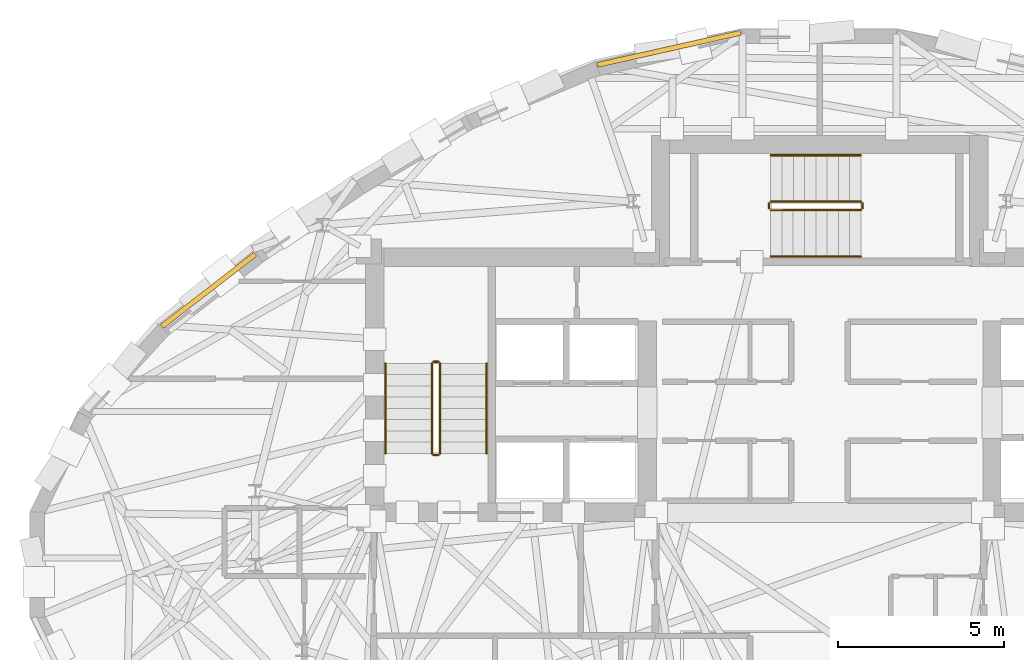
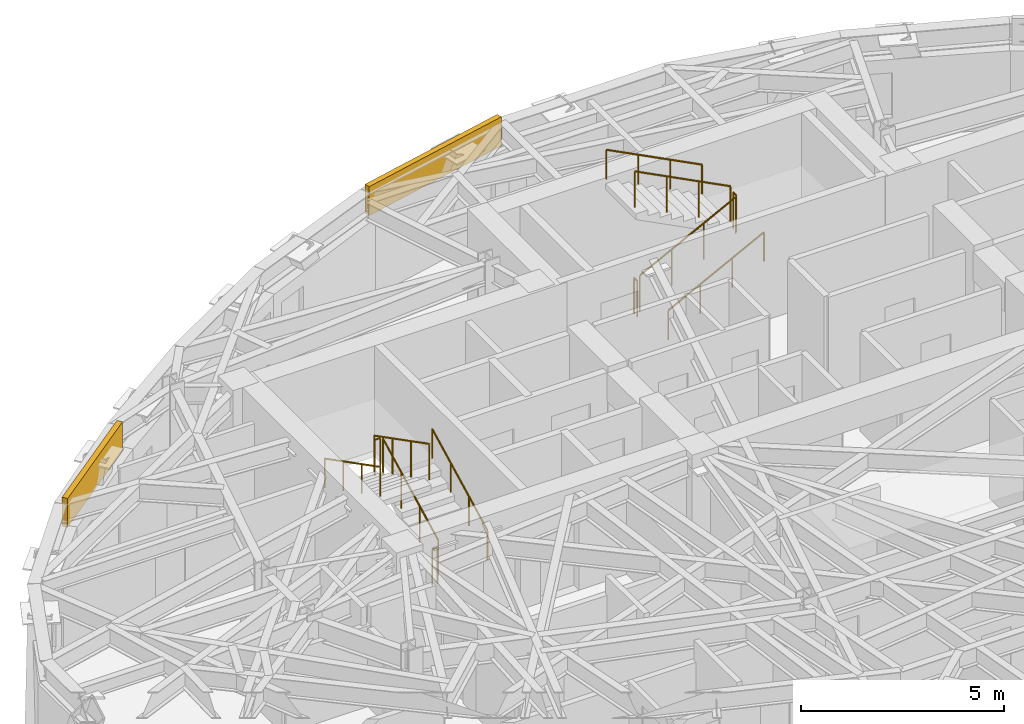
# One storey, part 12 of 13: 12 railings, 2 coverings.
"""IFC4 building model written with IfcOpenShell, lengths in metres."""

import ifcopenshell
import ifcopenshell.guid

model = None  # the IFC model being written
_history = None  # IfcOwnerHistory: only IFC2X3 demands one
_inside = {}  # id of a spatial element -> (the spatial element, [elements in it])
_under = {}  # id of a project, library or spatial element -> (it, [spatial elements below it])
_declared = {}  # id of a project -> (the project, [libraries it declares])
_typed = {}  # id of a type object -> (the type object, [elements of that type])
_made_of = {}  # id of a material, layer set ... -> (it, [elements and type objects made of it])


def new_model(schema):
    """Start an empty IFC model of exactly this schema.

    Asked for "IFC4X3", IfcOpenShell would pick the latest addendum, in which some entities
    have other attributes; the version numbers below select the first issue.
    IFC2X3 requires an IfcOwnerHistory on every rooted entity: one is made here for all.
    """
    global model, _history
    if schema == "IFC4X3":
        model = ifcopenshell.file(schema_version=(4, 3, 0, 0))
    else:
        model = ifcopenshell.file(schema=schema)
    _inside.clear()
    _under.clear()
    _declared.clear()
    _typed.clear()
    _made_of.clear()
    _history = None
    if model.schema == "IFC2X3":
        org = make("IfcOrganization", Name="unknown")
        user = make(
            "IfcPersonAndOrganization",
            ThePerson=make("IfcPerson", FamilyName="unknown"),
            TheOrganization=org,
        )
        app = make(
            "IfcApplication",
            ApplicationDeveloper=org,
            Version="unknown",
            ApplicationFullName="unknown",
            ApplicationIdentifier="unknown",
        )
        _history = make(
            "IfcOwnerHistory",
            OwningUser=user,
            OwningApplication=app,
            ChangeAction="ADDED",
            CreationDate=0,
        )
    return model


def make(cls, **values):
    """One entity of the class cls with the attributes given. An attribute that is None is left unset."""
    return model.create_entity(
        cls, **{name: value for name, value in values.items() if value is not None}
    )


def rooted(cls, **values):
    """An entity with a GlobalId (a new one), such as an element, a storey or a relation."""
    return make(cls, GlobalId=ifcopenshell.guid.new(), OwnerHistory=_history, **values)


def si_unit(unit_type, name, prefix=None):
    """IfcSIUnit, for example si_unit("LENGTHUNIT", "METRE", prefix="MILLI")."""
    return make("IfcSIUnit", UnitType=unit_type, Prefix=prefix, Name=name)


def assignment(units):
    """IfcUnitAssignment: the units of a project."""
    return None if units is None else make("IfcUnitAssignment", Units=units)


def point(xyz):
    """IfcCartesianPoint."""
    return None if xyz is None else make("IfcCartesianPoint", Coordinates=xyz)


def direction(xyz):
    """IfcDirection."""
    return None if xyz is None else make("IfcDirection", DirectionRatios=xyz)


def frame(location, z_axis=None, x_axis=None):
    """IfcAxis2Placement3D, a coordinate frame: its origin and axes. An axis left out is left unset."""
    return make(
        "IfcAxis2Placement3D",
        Location=point(location),
        Axis=direction(z_axis),
        RefDirection=direction(x_axis),
    )


def frame_2d(location, x_axis=None):
    """IfcAxis2Placement2D, a coordinate frame in the plane: its origin and x axis."""
    return make(
        "IfcAxis2Placement2D", Location=point(location), RefDirection=direction(x_axis)
    )


def origin():
    """The frame at (0, 0, 0) with its axes left unset."""
    return frame((0.0, 0.0, 0.0))


def origin_2d():
    """The frame at (0, 0) in the plane with its x axis left unset."""
    return frame_2d((0.0, 0.0))


def place(relative_to, where):
    """IfcLocalPlacement: puts the frame where relative to a parent placement (None: the world)."""
    return make(
        "IfcLocalPlacement", PlacementRelTo=relative_to, RelativePlacement=where
    )


def context(
    kind, dimensions, precision=None, world=None, true_north=None, identifier=None
):
    """IfcGeometricRepresentationContext, for example the 3D "Model" context."""
    return make(
        "IfcGeometricRepresentationContext",
        ContextIdentifier=identifier,
        ContextType=kind,
        CoordinateSpaceDimension=dimensions,
        Precision=precision,
        WorldCoordinateSystem=world,
        TrueNorth=true_north,
    )


def subcontext(parent, identifier, kind, view, scale=None):
    """IfcGeometricRepresentationSubContext, for example "Body" below "Model"."""
    return make(
        "IfcGeometricRepresentationSubContext",
        ContextIdentifier=identifier,
        ContextType=kind,
        ParentContext=parent,
        TargetScale=scale,
        TargetView=view,
    )


def project(units=None, contexts=None):
    """IfcProject with its units and contexts."""
    return rooted(
        "IfcProject",
        Name="project",
        RepresentationContexts=contexts,
        UnitsInContext=assignment(units),
    )


def spatial(cls, under=None, at=None, **own):
    """A site, building, storey or space (cls), placed at a placement, below another one or the project."""
    s = rooted(cls, ObjectPlacement=at, **own)
    if under is not None:
        _under.setdefault(under.id(), (under, []))[1].append(s)
    return s


def profile(cls, at=None, kind="AREA", **sizes):
    """A parametric profile (cls). Its sizes go by their IFC names, for example OverallWidth=200.0."""
    return make(cls, ProfileType=kind, Position=at, **sizes)


def rectangle(**sizes):
    """IfcRectangleProfileDef."""
    return profile("IfcRectangleProfileDef", **sizes)


def circle(**sizes):
    """IfcCircleProfileDef."""
    return profile("IfcCircleProfileDef", **sizes)


def extrude(swept, where, along, depth):
    """IfcExtrudedAreaSolid: the profile swept, set in the frame where, extruded along a direction by depth."""
    return make(
        "IfcExtrudedAreaSolid",
        SweptArea=swept,
        Position=where,
        ExtrudedDirection=direction(along),
        Depth=depth,
    )


def shape(context_of_items, identifier, shape_type, items):
    """IfcShapeRepresentation: the items that make up one representation, for example the "Body"."""
    return make(
        "IfcShapeRepresentation",
        ContextOfItems=context_of_items,
        RepresentationIdentifier=identifier,
        RepresentationType=shape_type,
        Items=items,
    )


def material(Name=None, Category=None):
    """IfcMaterial."""
    return make("IfcMaterial", Name=Name, Category=Category)


def layer(
    of_material, thickness, ventilated=None, Name=None, Category=None, Priority=None
):
    """IfcMaterialLayer: one layer of a wall or slab, of a material (None: an air gap)."""
    return make(
        "IfcMaterialLayer",
        Material=of_material,
        LayerThickness=thickness,
        IsVentilated=ventilated,
        Name=Name,
        Category=Category,
        Priority=Priority,
    )


def layer_set(layers, Name=None):
    """IfcMaterialLayerSet."""
    return make("IfcMaterialLayerSet", MaterialLayers=layers, LayerSetName=Name)


def made_of(thing, what):
    """Note that an element or type object is made of a material, layer set ...; save() writes the relation."""
    if what is not None:
        _made_of.setdefault(what.id(), (what, []))[1].append(thing)
    return thing


def type_object(cls, material=None, **own):
    """A type object (cls), such as IfcWallType, which elements share."""
    return made_of(rooted(cls, **own), material)


def element(
    cls,
    number,
    at=None,
    inside=None,
    cuts=None,
    type_object=None,
    material=None,
    context=None,
    identifier="Body",
    shape_type=None,
    held_by="IfcProductDefinitionShape",
    body=None,
    shapes=None,
    **own,
):
    """One element of the class cls, such as IfcWall. Its Tag is "e" and its number.

    at: its placement. inside: the storey or other place that contains it. cuts: it is an
    opening in that element (IfcRelVoidsElement). A single representation is given by context,
    identifier, shape_type and body (its items); several are given by shapes. held_by: the class
    of the entity that holds the representations. save() writes the other relations.
    """
    e = rooted(cls, Tag="e%d" % number, ObjectPlacement=at, **own)
    if body is not None:
        shapes = [shape(context, identifier, shape_type, body)]
    if shapes is not None:
        e.Representation = make(held_by, Representations=shapes)
    if inside is not None:
        _inside.setdefault(inside.id(), (inside, []))[1].append(e)
    if cuts is not None:
        rooted(
            "IfcRelVoidsElement", RelatingBuildingElement=cuts, RelatedOpeningElement=e
        )
    if type_object is not None:
        _typed.setdefault(type_object.id(), (type_object, []))[1].append(e)
    return made_of(e, material)


def aggregate(whole, parts):
    """IfcRelAggregates: a whole, such as a stair, and the parts it consists of."""
    return rooted("IfcRelAggregates", RelatingObject=whole, RelatedObjects=parts)


def save(model, path):
    """Write the relations noted so far, then the file.

    IfcRelAggregates (storeys below a building ...), IfcRelContainedInSpatialStructure (elements
    in a storey), IfcRelDefinesByType, IfcRelAssociatesMaterial and IfcRelDeclares: one each for
    every whole, place, type object, material and project.
    """
    for whole, parts in _under.values():
        aggregate(whole, parts)
    for where, things in _inside.values():
        rooted(
            "IfcRelContainedInSpatialStructure",
            RelatedElements=things,
            RelatingStructure=where,
        )
    for kind, things in _typed.values():
        rooted("IfcRelDefinesByType", RelatedObjects=things, RelatingType=kind)
    for what, things in _made_of.values():
        rooted("IfcRelAssociatesMaterial", RelatedObjects=things, RelatingMaterial=what)
    for by, libraries in _declared.values():
        rooted("IfcRelDeclares", RelatingContext=by, RelatedDefinitions=libraries)
    model.write(path)


model = new_model("IFC4")

# Units and contexts
model_context = context("Model", 3, precision=1e-05, world=origin(), true_north=direction((0.0, 1.0)))
body_context = subcontext(model_context, "Body", "Model", "MODEL_VIEW")
ifc_project = project(units=[si_unit("LENGTHUNIT", "METRE"), si_unit("AREAUNIT", "SQUARE_METRE"), si_unit("VOLUMEUNIT", "CUBIC_METRE"), si_unit("PLANEANGLEUNIT", "RADIAN"), si_unit("MASSUNIT", "GRAM", prefix="KILO")], contexts=[model_context])

# Site, building, storey
site_placement = place(None, origin())
site = spatial("IfcSite", under=ifc_project, at=site_placement, CompositionType="ELEMENT")
building_placement = place(site_placement, origin())
building = spatial("IfcBuilding", under=site, at=building_placement, Name="Keldmark Tower", CompositionType="ELEMENT")
storey_placement = place(building_placement, frame((0.0, 0.0, 210.0)))
storey = spatial("IfcBuildingStorey", under=building, at=storey_placement, Name="L58", CompositionType="ELEMENT", Elevation=210.0)

# Coverings
ifc_material_1 = material(Name="Honed Kasota Buff Dolomitic Limestone", Category="masonry")
ifc_layer = layer(ifc_material_1, 0.074951171875)
ifc_layer_set = layer_set([ifc_layer], Name="Honed Kasota Buff Dolomitic Limestone")
covering_type = type_object("IfcCoveringType", Name="Kasota Buff Limestone Spandrel Cladding Band", PredefinedType="CLADDING", material=ifc_layer_set)
covering_1_placement = place(storey_placement, frame((-4.54150390625, 15.559814453125, 2.260009765625), z_axis=(0.0, 0.0, 1.0), x_axis=(-0.97564952142, -0.219335385547, 0.0)))
element("IfcCovering", 1, at=covering_1_placement, inside=storey, type_object=covering_type, Name="L58 Kasota Limestone Spandrel Band 09", PredefinedType="CLADDING", context=body_context, shape_type="SweptSolid", body=[
    extrude(rectangle(XDim=4.42724609375, YDim=0.14990234375, at=origin_2d()), origin(), (0.0, 0.0, 1.0), 0.8701171875),
])
covering_2_placement = place(storey_placement, frame((-18.434326171875, 8.27490234375, 2.260009765625), z_axis=(0.0, 0.0, 1.0), x_axis=(-0.79103137704, -0.611775580208, 0.0)))
element("IfcCovering", 2, at=covering_2_placement, inside=storey, type_object=covering_type, Name="L58 Kasota Limestone Spandrel Band 13", PredefinedType="CLADDING", context=body_context, shape_type="SweptSolid", body=[
    extrude(rectangle(XDim=3.56201171875, YDim=0.14990234375, at=origin_2d()), origin(), (0.0, 0.0, 1.0), 0.8701171875),
])

# Railings
ifc_material_2 = material(Name="Painted Steel ASTM A500 Grade B", Category="steel")
railing_type_1 = type_object("IfcRailingType", Name="Painted Steel Stair Well Guard 1100 mm", PredefinedType="GUARDRAIL", material=ifc_material_2)
railing_1_placement = place(storey_placement, frame((-11.449951171875, 3.35009765625, 0.175048828125)))
element("IfcRailing", 3, at=railing_1_placement, inside=storey, type_object=railing_type_1, Name="L58 ST1 stair guard 1", PredefinedType="GUARDRAIL", context=body_context, shape_type="SweptSolid", body=[
    extrude(circle(Radius=0.02392578125, at=origin_2d()), frame((0.0, 0.0, 1.076171875), z_axis=(0.0, 0.889146794209, 0.457622091194), x_axis=(-1.0, 0.0, 0.0)), (0.0, 0.0, 1.0), 3.05908203125),
    extrude(circle(Radius=0.02099609375, at=origin_2d()), origin(), (0.0, 0.0, 1.0), 1.052001953125),
    extrude(circle(Radius=0.02099609375, at=origin_2d()), frame((0.0, 0.90673828125, 0.466552734375)), (0.0, 0.0, 1.0), 1.052001953125),
    extrude(circle(Radius=0.02099609375, at=origin_2d()), frame((0.0, 1.813232421875, 0.933349609375)), (0.0, 0.0, 1.0), 1.052001953125),
    extrude(circle(Radius=0.02099609375, at=origin_2d()), frame((0.0, 2.719970703125, 1.39990234375)), (0.0, 0.0, 1.0), 1.052001953125),
])
railing_2_placement = place(storey_placement, frame((-11.5, 6.1201171875, 1.574951171875)))
element("IfcRailing", 4, at=railing_2_placement, inside=storey, type_object=railing_type_1, Name="L58 ST1 stair guard 2", PredefinedType="GUARDRAIL", context=body_context, shape_type="SweptSolid", body=[
    extrude(circle(Radius=0.02392578125, at=origin_2d()), frame((0.0, 0.0, 1.076171875), z_axis=(-1.0, 0.0, 0.0), x_axis=(0.0, -1.0, 0.0)), (0.0, 0.0, 1.0), 0.14990234375),
    extrude(circle(Radius=0.02099609375, at=origin_2d()), origin(), (0.0, 0.0, 1.0), 1.052001953125),
    extrude(circle(Radius=0.02099609375, at=origin_2d()), frame((-0.14990234375, 0.0, 0.0)), (0.0, 0.0, 1.0), 1.052001953125),
])
railing_3_placement = place(storey_placement, frame((-11.699951171875, 6.070068359375, 1.75)))
element("IfcRailing", 5, at=railing_3_placement, inside=storey, type_object=railing_type_1, Name="L58 ST1 stair guard 3", PredefinedType="GUARDRAIL", context=body_context, shape_type="SweptSolid", body=[
    extrude(circle(Radius=0.02392578125, at=origin_2d()), frame((0.0, 0.0, 1.076171875), z_axis=(0.0, -0.889146794209, 0.457622091194), x_axis=(1.0, 0.0, 0.0)), (0.0, 0.0, 1.0), 3.05908203125),
    extrude(circle(Radius=0.02099609375, at=origin_2d()), origin(), (0.0, 0.0, 1.0), 1.052001953125),
    extrude(circle(Radius=0.02099609375, at=origin_2d()), frame((0.0, -0.90673828125, 0.466552734375)), (0.0, 0.0, 1.0), 1.052001953125),
    extrude(circle(Radius=0.02099609375, at=origin_2d()), frame((0.0, -1.813232421875, 0.933349609375)), (0.0, 0.0, 1.0), 1.052001953125),
    extrude(circle(Radius=0.02099609375, at=origin_2d()), frame((0.0, -2.719970703125, 1.39990234375)), (0.0, 0.0, 1.0), 1.052001953125),
])
railing_4_placement = place(storey_placement, frame((-11.5, 3.300048828125, 0.0)))
element("IfcRailing", 6, at=railing_4_placement, inside=storey, type_object=railing_type_1, Name="L58 ST1 stair guard 4", PredefinedType="GUARDRAIL", context=body_context, shape_type="SweptSolid", body=[
    extrude(circle(Radius=0.02392578125, at=origin_2d()), frame((0.0, 0.0, 1.076171875), z_axis=(-1.0, 0.0, 0.0), x_axis=(0.0, -1.0, 0.0)), (0.0, 0.0, 1.0), 0.14990234375),
    extrude(circle(Radius=0.02099609375, at=origin_2d()), origin(), (0.0, 0.0, 1.0), 1.052001953125),
    extrude(circle(Radius=0.02099609375, at=origin_2d()), frame((-0.14990234375, 0.0, 0.0)), (0.0, 0.0, 1.0), 1.052001953125),
])
railing_5_placement = place(storey_placement, frame((-1.47509765625, 10.699951171875, 0.175048828125)))
element("IfcRailing", 7, at=railing_5_placement, inside=storey, type_object=railing_type_1, Name="L58 ST3 stair guard 1", PredefinedType="GUARDRAIL", context=body_context, shape_type="SweptSolid", body=[
    extrude(circle(Radius=0.02392578125, at=origin_2d()), frame((0.0, 0.0, 1.076171875), z_axis=(0.88916350577, 0.0, 0.457589619645), x_axis=(0.0, 1.0, 0.0)), (0.0, 0.0, 1.0), 3.059326171875),
    extrude(circle(Radius=0.02099609375, at=origin_2d()), origin(), (0.0, 0.0, 1.0), 1.052001953125),
    extrude(circle(Radius=0.02099609375, at=origin_2d()), frame((0.90673828125, 0.0, 0.466552734375)), (0.0, 0.0, 1.0), 1.052001953125),
    extrude(circle(Radius=0.02099609375, at=origin_2d()), frame((1.8134765625, 0.0, 0.933349609375)), (0.0, 0.0, 1.0), 1.052001953125),
    extrude(circle(Radius=0.02099609375, at=origin_2d()), frame((2.72021484375, 0.0, 1.39990234375)), (0.0, 0.0, 1.0), 1.052001953125),
])
railing_6_placement = place(storey_placement, frame((1.294921875, 10.75, 1.574951171875)))
element("IfcRailing", 8, at=railing_6_placement, inside=storey, type_object=railing_type_1, Name="L58 ST3 stair guard 2", PredefinedType="GUARDRAIL", context=body_context, shape_type="SweptSolid", body=[
    extrude(circle(Radius=0.02392578125, at=origin_2d()), frame((0.0, 0.0, 1.076171875), z_axis=(0.0, 1.0, 0.0), x_axis=(-1.0, 0.0, 0.0)), (0.0, 0.0, 1.0), 0.14990234375),
    extrude(circle(Radius=0.02099609375, at=origin_2d()), origin(), (0.0, 0.0, 1.0), 1.052001953125),
    extrude(circle(Radius=0.02099609375, at=origin_2d()), frame((0.0, 0.14990234375, 0.0)), (0.0, 0.0, 1.0), 1.052001953125),
])
railing_7_placement = place(storey_placement, frame((1.2451171875, 10.949951171875, 1.75)))
element("IfcRailing", 9, at=railing_7_placement, inside=storey, type_object=railing_type_1, Name="L58 ST3 stair guard 3", PredefinedType="GUARDRAIL", context=body_context, shape_type="SweptSolid", body=[
    extrude(circle(Radius=0.02392578125, at=origin_2d()), frame((0.0, 0.0, 1.076171875), z_axis=(-0.88916350577, 0.0, 0.457589619645), x_axis=(0.0, -1.0, 0.0)), (0.0, 0.0, 1.0), 3.059326171875),
    extrude(circle(Radius=0.02099609375, at=origin_2d()), origin(), (0.0, 0.0, 1.0), 1.052001953125),
    extrude(circle(Radius=0.02099609375, at=origin_2d()), frame((-0.90673828125, 0.0, 0.466552734375)), (0.0, 0.0, 1.0), 1.052001953125),
    extrude(circle(Radius=0.02099609375, at=origin_2d()), frame((-1.8134765625, 0.0, 0.933349609375)), (0.0, 0.0, 1.0), 1.052001953125),
    extrude(circle(Radius=0.02099609375, at=origin_2d()), frame((-2.72021484375, 0.0, 1.39990234375)), (0.0, 0.0, 1.0), 1.052001953125),
])
railing_8_placement = place(storey_placement, frame((-1.52490234375, 10.75, 0.0)))
element("IfcRailing", 10, at=railing_8_placement, inside=storey, type_object=railing_type_1, Name="L58 ST3 stair guard 4", PredefinedType="GUARDRAIL", context=body_context, shape_type="SweptSolid", body=[
    extrude(circle(Radius=0.02392578125, at=origin_2d()), frame((0.0, 0.0, 1.076171875), z_axis=(0.0, 1.0, 0.0), x_axis=(-1.0, 0.0, 0.0)), (0.0, 0.0, 1.0), 0.14990234375),
    extrude(circle(Radius=0.02099609375, at=origin_2d()), origin(), (0.0, 0.0, 1.0), 1.052001953125),
    extrude(circle(Radius=0.02099609375, at=origin_2d()), frame((0.0, 0.14990234375, 0.0)), (0.0, 0.0, 1.0), 1.052001953125),
])
ifc_material_3 = material(Name="Stainless Steel AISI 316L", Category="steel")
railing_type_2 = type_object("IfcRailingType", Name="Stainless Steel Stair Handrail 900 mm", PredefinedType="HANDRAIL", material=ifc_material_3)
railing_9_placement = place(storey_placement, frame((-10.050048828125, 3.35009765625, 0.175048828125)))
element("IfcRailing", 11, at=railing_9_placement, inside=storey, type_object=railing_type_2, Name="L58 ST1 stair handrail 1", PredefinedType="HANDRAIL", context=body_context, shape_type="SweptSolid", body=[
    extrude(circle(Radius=0.02392578125, at=origin_2d()), frame((0.0, 0.0, 0.8759765625), z_axis=(0.0, 0.889146794209, 0.457622091194), x_axis=(-1.0, 0.0, 0.0)), (0.0, 0.0, 1.0), 3.05908203125),
    extrude(circle(Radius=0.02099609375, at=origin_2d()), origin(), (0.0, 0.0, 1.0), 0.851806640625),
    extrude(circle(Radius=0.02099609375, at=origin_2d()), frame((0.0, 0.90673828125, 0.466552734375)), (0.0, 0.0, 1.0), 0.851806640625),
    extrude(circle(Radius=0.02099609375, at=origin_2d()), frame((0.0, 1.813232421875, 0.933349609375)), (0.0, 0.0, 1.0), 0.851806640625),
    extrude(circle(Radius=0.02099609375, at=origin_2d()), frame((0.0, 2.719970703125, 1.39990234375)), (0.0, 0.0, 1.0), 0.851806640625),
])
railing_10_placement = place(storey_placement, frame((-13.10009765625, 6.070068359375, 1.75)))
element("IfcRailing", 12, at=railing_10_placement, inside=storey, type_object=railing_type_2, Name="L58 ST1 stair handrail 2", PredefinedType="HANDRAIL", context=body_context, shape_type="SweptSolid", body=[
    extrude(circle(Radius=0.02392578125, at=origin_2d()), frame((0.0, 0.0, 0.8759765625), z_axis=(0.0, -0.889146794209, 0.457622091194), x_axis=(1.0, 0.0, 0.0)), (0.0, 0.0, 1.0), 3.05908203125),
    extrude(circle(Radius=0.02099609375, at=origin_2d()), origin(), (0.0, 0.0, 1.0), 0.851806640625),
    extrude(circle(Radius=0.02099609375, at=origin_2d()), frame((0.0, -0.90673828125, 0.466552734375)), (0.0, 0.0, 1.0), 0.851806640625),
    extrude(circle(Radius=0.02099609375, at=origin_2d()), frame((0.0, -1.813232421875, 0.933349609375)), (0.0, 0.0, 1.0), 0.851806640625),
    extrude(circle(Radius=0.02099609375, at=origin_2d()), frame((0.0, -2.719970703125, 1.39990234375)), (0.0, 0.0, 1.0), 0.851806640625),
])
railing_11_placement = place(storey_placement, frame((-1.47509765625, 9.300048828125, 0.175048828125)))
element("IfcRailing", 13, at=railing_11_placement, inside=storey, type_object=railing_type_2, Name="L58 ST3 stair handrail 1", PredefinedType="HANDRAIL", context=body_context, shape_type="SweptSolid", body=[
    extrude(circle(Radius=0.02392578125, at=origin_2d()), frame((0.0, 0.0, 0.8759765625), z_axis=(0.88916350577, 0.0, 0.457589619645), x_axis=(0.0, 1.0, 0.0)), (0.0, 0.0, 1.0), 3.059326171875),
    extrude(circle(Radius=0.02099609375, at=origin_2d()), origin(), (0.0, 0.0, 1.0), 0.851806640625),
    extrude(circle(Radius=0.02099609375, at=origin_2d()), frame((0.90673828125, 0.0, 0.466552734375)), (0.0, 0.0, 1.0), 0.851806640625),
    extrude(circle(Radius=0.02099609375, at=origin_2d()), frame((1.8134765625, 0.0, 0.933349609375)), (0.0, 0.0, 1.0), 0.851806640625),
    extrude(circle(Radius=0.02099609375, at=origin_2d()), frame((2.72021484375, 0.0, 1.39990234375)), (0.0, 0.0, 1.0), 0.851806640625),
])
railing_12_placement = place(storey_placement, frame((1.2451171875, 12.35009765625, 1.75)))
element("IfcRailing", 14, at=railing_12_placement, inside=storey, type_object=railing_type_2, Name="L58 ST3 stair handrail 2", PredefinedType="HANDRAIL", context=body_context, shape_type="SweptSolid", body=[
    extrude(circle(Radius=0.02392578125, at=origin_2d()), frame((0.0, 0.0, 0.8759765625), z_axis=(-0.88916350577, 0.0, 0.457589619645), x_axis=(0.0, -1.0, 0.0)), (0.0, 0.0, 1.0), 3.059326171875),
    extrude(circle(Radius=0.02099609375, at=origin_2d()), origin(), (0.0, 0.0, 1.0), 0.851806640625),
    extrude(circle(Radius=0.02099609375, at=origin_2d()), frame((-0.90673828125, 0.0, 0.466552734375)), (0.0, 0.0, 1.0), 0.851806640625),
    extrude(circle(Radius=0.02099609375, at=origin_2d()), frame((-1.8134765625, 0.0, 0.933349609375)), (0.0, 0.0, 1.0), 0.851806640625),
    extrude(circle(Radius=0.02099609375, at=origin_2d()), frame((-2.72021484375, 0.0, 1.39990234375)), (0.0, 0.0, 1.0), 0.851806640625),
])

save(model, "model.ifc")
